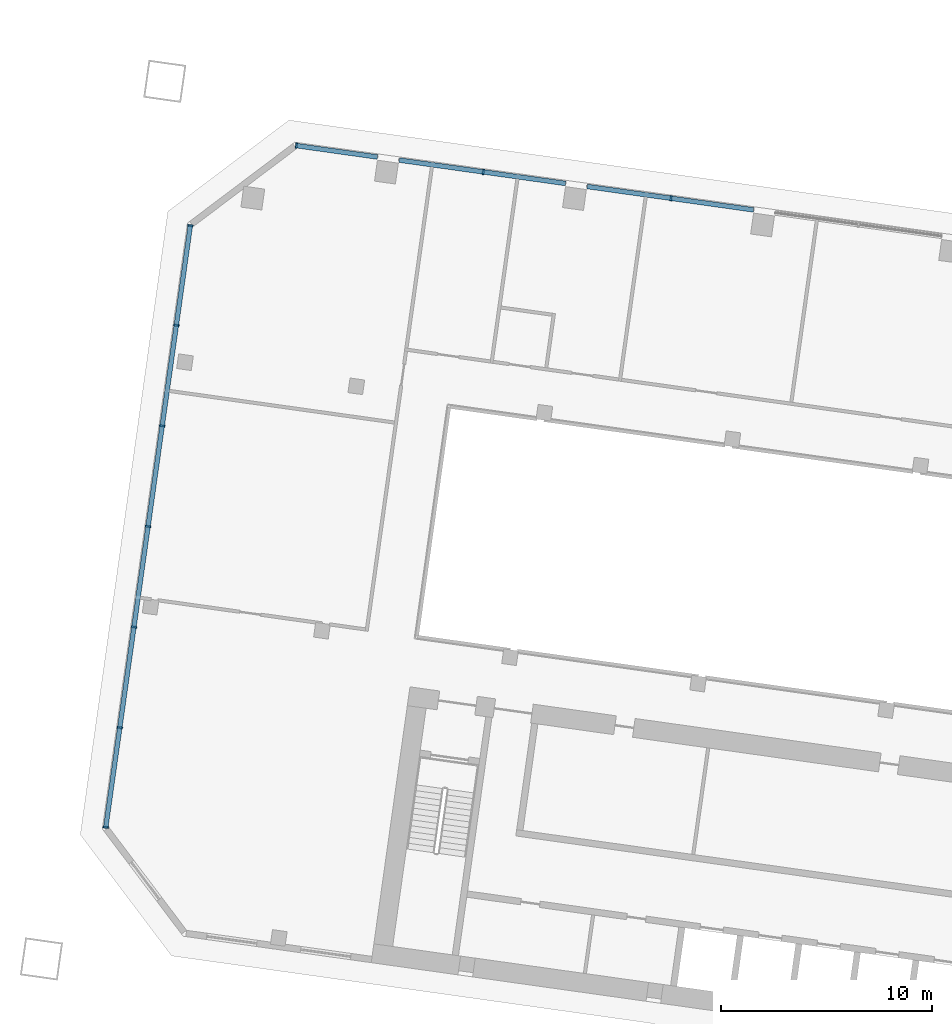
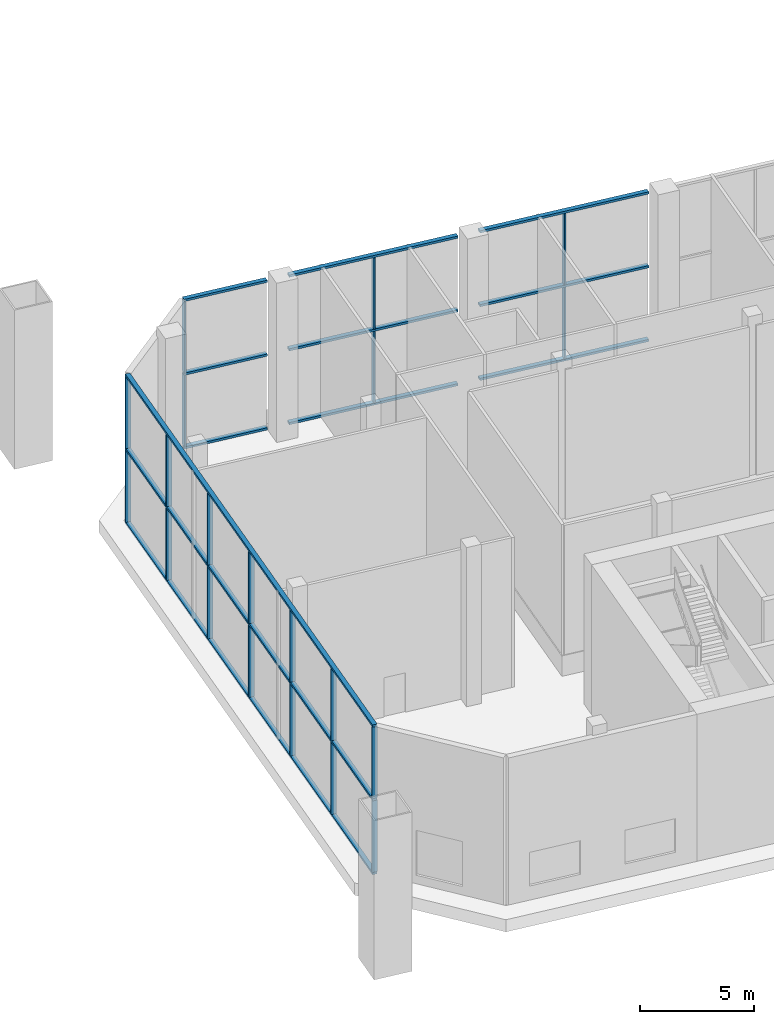
# One storey, part 2 of 31: 32 members, 2 elements without a shape of their own.
"""IFC4 building model written with IfcOpenShell, lengths in metres."""

import ifcopenshell
import ifcopenshell.guid

model = None  # the IFC model being written
_history = None  # IfcOwnerHistory: only IFC2X3 demands one
_inside = {}  # id of a spatial element -> (the spatial element, [elements in it])
_under = {}  # id of a project, library or spatial element -> (it, [spatial elements below it])
_declared = {}  # id of a project -> (the project, [libraries it declares])
_typed = {}  # id of a type object -> (the type object, [elements of that type])
_made_of = {}  # id of a material, layer set ... -> (it, [elements and type objects made of it])


def new_model(schema):
    """Start an empty IFC model of exactly this schema.

    Asked for "IFC4X3", IfcOpenShell would pick the latest addendum, in which some entities
    have other attributes; the version numbers below select the first issue.
    IFC2X3 requires an IfcOwnerHistory on every rooted entity: one is made here for all.
    """
    global model, _history
    if schema == "IFC4X3":
        model = ifcopenshell.file(schema_version=(4, 3, 0, 0))
    else:
        model = ifcopenshell.file(schema=schema)
    _inside.clear()
    _under.clear()
    _declared.clear()
    _typed.clear()
    _made_of.clear()
    _history = None
    if model.schema == "IFC2X3":
        org = make("IfcOrganization", Name="unknown")
        user = make(
            "IfcPersonAndOrganization",
            ThePerson=make("IfcPerson", FamilyName="unknown"),
            TheOrganization=org,
        )
        app = make(
            "IfcApplication",
            ApplicationDeveloper=org,
            Version="unknown",
            ApplicationFullName="unknown",
            ApplicationIdentifier="unknown",
        )
        _history = make(
            "IfcOwnerHistory",
            OwningUser=user,
            OwningApplication=app,
            ChangeAction="ADDED",
            CreationDate=0,
        )
    return model


def make(cls, **values):
    """One entity of the class cls with the attributes given. An attribute that is None is left unset."""
    return model.create_entity(
        cls, **{name: value for name, value in values.items() if value is not None}
    )


def rooted(cls, **values):
    """An entity with a GlobalId (a new one), such as an element, a storey or a relation."""
    return make(cls, GlobalId=ifcopenshell.guid.new(), OwnerHistory=_history, **values)


def si_unit(unit_type, name, prefix=None):
    """IfcSIUnit, for example si_unit("LENGTHUNIT", "METRE", prefix="MILLI")."""
    return make("IfcSIUnit", UnitType=unit_type, Prefix=prefix, Name=name)


def assignment(units):
    """IfcUnitAssignment: the units of a project."""
    return None if units is None else make("IfcUnitAssignment", Units=units)


def point(xyz):
    """IfcCartesianPoint."""
    return None if xyz is None else make("IfcCartesianPoint", Coordinates=xyz)


def direction(xyz):
    """IfcDirection."""
    return None if xyz is None else make("IfcDirection", DirectionRatios=xyz)


def frame(location, z_axis=None, x_axis=None):
    """IfcAxis2Placement3D, a coordinate frame: its origin and axes. An axis left out is left unset."""
    return make(
        "IfcAxis2Placement3D",
        Location=point(location),
        Axis=direction(z_axis),
        RefDirection=direction(x_axis),
    )


def frame_2d(location, x_axis=None):
    """IfcAxis2Placement2D, a coordinate frame in the plane: its origin and x axis."""
    return make(
        "IfcAxis2Placement2D", Location=point(location), RefDirection=direction(x_axis)
    )


def origin():
    """The frame at (0, 0, 0) with its axes left unset."""
    return frame((0.0, 0.0, 0.0))


def origin_2d():
    """The frame at (0, 0) in the plane with its x axis left unset."""
    return frame_2d((0.0, 0.0))


def place(relative_to, where):
    """IfcLocalPlacement: puts the frame where relative to a parent placement (None: the world)."""
    return make(
        "IfcLocalPlacement", PlacementRelTo=relative_to, RelativePlacement=where
    )


def context(
    kind, dimensions, precision=None, world=None, true_north=None, identifier=None
):
    """IfcGeometricRepresentationContext, for example the 3D "Model" context."""
    return make(
        "IfcGeometricRepresentationContext",
        ContextIdentifier=identifier,
        ContextType=kind,
        CoordinateSpaceDimension=dimensions,
        Precision=precision,
        WorldCoordinateSystem=world,
        TrueNorth=true_north,
    )


def subcontext(parent, identifier, kind, view, scale=None):
    """IfcGeometricRepresentationSubContext, for example "Body" below "Model"."""
    return make(
        "IfcGeometricRepresentationSubContext",
        ContextIdentifier=identifier,
        ContextType=kind,
        ParentContext=parent,
        TargetScale=scale,
        TargetView=view,
    )


def project(units=None, contexts=None):
    """IfcProject with its units and contexts."""
    return rooted(
        "IfcProject",
        Name="project",
        RepresentationContexts=contexts,
        UnitsInContext=assignment(units),
    )


def spatial(cls, under=None, at=None, **own):
    """A site, building, storey or space (cls), placed at a placement, below another one or the project."""
    s = rooted(cls, ObjectPlacement=at, **own)
    if under is not None:
        _under.setdefault(under.id(), (under, []))[1].append(s)
    return s


def profile(cls, at=None, kind="AREA", **sizes):
    """A parametric profile (cls). Its sizes go by their IFC names, for example OverallWidth=200.0."""
    return make(cls, ProfileType=kind, Position=at, **sizes)


def rectangle(**sizes):
    """IfcRectangleProfileDef."""
    return profile("IfcRectangleProfileDef", **sizes)


def extrude(swept, where, along, depth):
    """IfcExtrudedAreaSolid: the profile swept, set in the frame where, extruded along a direction by depth."""
    return make(
        "IfcExtrudedAreaSolid",
        SweptArea=swept,
        Position=where,
        ExtrudedDirection=direction(along),
        Depth=depth,
    )


def shape(context_of_items, identifier, shape_type, items):
    """IfcShapeRepresentation: the items that make up one representation, for example the "Body"."""
    return make(
        "IfcShapeRepresentation",
        ContextOfItems=context_of_items,
        RepresentationIdentifier=identifier,
        RepresentationType=shape_type,
        Items=items,
    )


def material(Name=None, Category=None):
    """IfcMaterial."""
    return make("IfcMaterial", Name=Name, Category=Category)


def material_profile(
    of_material, cross_section, Name=None, Category=None, Priority=None
):
    """IfcMaterialProfile: a cross section and its material."""
    return make(
        "IfcMaterialProfile",
        Name=Name,
        Material=of_material,
        Profile=cross_section,
        Priority=Priority,
        Category=Category,
    )


def profile_set(profiles, Name=None, composite=None):
    """IfcMaterialProfileSet."""
    return make(
        "IfcMaterialProfileSet",
        Name=Name,
        MaterialProfiles=profiles,
        CompositeProfile=composite,
    )


def made_of(thing, what):
    """Note that an element or type object is made of a material, layer set ...; save() writes the relation."""
    if what is not None:
        _made_of.setdefault(what.id(), (what, []))[1].append(thing)
    return thing


def type_object(cls, material=None, **own):
    """A type object (cls), such as IfcWallType, which elements share."""
    return made_of(rooted(cls, **own), material)


def element(
    cls,
    number,
    at=None,
    inside=None,
    cuts=None,
    type_object=None,
    material=None,
    context=None,
    identifier="Body",
    shape_type=None,
    held_by="IfcProductDefinitionShape",
    body=None,
    shapes=None,
    **own,
):
    """One element of the class cls, such as IfcWall. Its Tag is "e" and its number.

    at: its placement. inside: the storey or other place that contains it. cuts: it is an
    opening in that element (IfcRelVoidsElement). A single representation is given by context,
    identifier, shape_type and body (its items); several are given by shapes. held_by: the class
    of the entity that holds the representations. save() writes the other relations.
    """
    e = rooted(cls, Tag="e%d" % number, ObjectPlacement=at, **own)
    if body is not None:
        shapes = [shape(context, identifier, shape_type, body)]
    if shapes is not None:
        e.Representation = make(held_by, Representations=shapes)
    if inside is not None:
        _inside.setdefault(inside.id(), (inside, []))[1].append(e)
    if cuts is not None:
        rooted(
            "IfcRelVoidsElement", RelatingBuildingElement=cuts, RelatedOpeningElement=e
        )
    if type_object is not None:
        _typed.setdefault(type_object.id(), (type_object, []))[1].append(e)
    return made_of(e, material)


def aggregate(whole, parts):
    """IfcRelAggregates: a whole, such as a stair, and the parts it consists of."""
    return rooted("IfcRelAggregates", RelatingObject=whole, RelatedObjects=parts)


def save(model, path):
    """Write the relations noted so far, then the file.

    IfcRelAggregates (storeys below a building ...), IfcRelContainedInSpatialStructure (elements
    in a storey), IfcRelDefinesByType, IfcRelAssociatesMaterial and IfcRelDeclares: one each for
    every whole, place, type object, material and project.
    """
    for whole, parts in _under.values():
        aggregate(whole, parts)
    for where, things in _inside.values():
        rooted(
            "IfcRelContainedInSpatialStructure",
            RelatedElements=things,
            RelatingStructure=where,
        )
    for kind, things in _typed.values():
        rooted("IfcRelDefinesByType", RelatedObjects=things, RelatingType=kind)
    for what, things in _made_of.values():
        rooted("IfcRelAssociatesMaterial", RelatedObjects=things, RelatingMaterial=what)
    for by, libraries in _declared.values():
        rooted("IfcRelDeclares", RelatingContext=by, RelatedDefinitions=libraries)
    model.write(path)


model = new_model("IFC4")

# Units and contexts
model_context = context("Model", 3, precision=1e-05, world=origin(), true_north=direction((0.0, 1.0)))
body_context = subcontext(model_context, "Body", "Model", "MODEL_VIEW")
ifc_project = project(units=[si_unit("LENGTHUNIT", "METRE"), si_unit("AREAUNIT", "SQUARE_METRE"), si_unit("VOLUMEUNIT", "CUBIC_METRE"), si_unit("PLANEANGLEUNIT", "RADIAN"), si_unit("MASSUNIT", "GRAM", prefix="KILO")], contexts=[model_context])

# Site, building, storey
site_placement = place(None, origin())
site = spatial("IfcSite", under=ifc_project, at=site_placement, CompositionType="ELEMENT")
building_placement = place(site_placement, origin())
building = spatial("IfcBuilding", under=site, at=building_placement, Name="Mirante Cascada Hotel Towers", CompositionType="ELEMENT")
storey_placement = place(building_placement, frame((0.0, 0.0, 9.0)))
storey = spatial("IfcBuildingStorey", under=building, at=storey_placement, Name="L01", CompositionType="ELEMENT", Elevation=9.0)

# Curtain wall, members
ifc_material_1 = material(Name="Aluminium mullion and transom frame with clear laminated glass", Category="aluminium")
curtain_wall_type = type_object("IfcCurtainWallType", Name="Podium curtain wall ECW3", PredefinedType="NOTDEFINED", material=ifc_material_1)
curtain_wall_1_placement = place(storey_placement, origin())
curtain_wall_1 = element("IfcCurtainWall", 1, at=curtain_wall_1_placement, inside=storey, type_object=curtain_wall_type, Name="Front podium glazing T1 L01", PredefinedType="NOTDEFINED")
ifc_material_2 = material(Name="Anodised aluminium extrusion", Category="aluminium")
ifc_material_profile_1 = material_profile(ifc_material_2, rectangle(XDim=0.26, YDim=0.08, at=origin_2d()), Name="ECW3 MULLION 80x260")
ifc_profile_set_1 = profile_set([ifc_material_profile_1], Name="Anodised aluminium extrusion")
member_type_1 = type_object("IfcMemberType", Name="ECW3 mullion 80x260", PredefinedType="MULLION", material=ifc_profile_set_1)
member_1_placement = place(storey_placement, frame((-94.1185, 26.0465, 0.12), z_axis=(0.0, 0.0, 1.0), x_axis=(0.1391731, 0.9902681, 0.0)))
member_1 = element("IfcMember", 2, at=member_1_placement, type_object=member_type_1, Name="ECW3 mullion 1", PredefinedType="MULLION", context=body_context, shape_type="SweptSolid", body=[
    extrude(rectangle(XDim=0.26, YDim=0.08, at=origin_2d()), origin(), (0.0, 0.0, 1.0), 3.82),
])
member_2_placement = place(storey_placement, frame((-94.1185, 26.0465, 4.06), z_axis=(0.0, 0.0, 1.0), x_axis=(0.1391731, 0.9902681, 0.0)))
member_2 = element("IfcMember", 3, at=member_2_placement, type_object=member_type_1, Name="ECW3 mullion 1", PredefinedType="MULLION", context=body_context, shape_type="SweptSolid", body=[
    extrude(rectangle(XDim=0.26, YDim=0.08, at=origin_2d()), origin(), (0.0, 0.0, 1.0), 3.82),
])
member_3_placement = place(storey_placement, frame((-85.2633, 24.802, 0.12), z_axis=(0.0, 0.0, 1.0), x_axis=(0.1391731, 0.9902681, 0.0)))
member_3 = element("IfcMember", 4, at=member_3_placement, type_object=member_type_1, Name="ECW3 mullion 3", PredefinedType="MULLION", context=body_context, shape_type="SweptSolid", body=[
    extrude(rectangle(XDim=0.26, YDim=0.08, at=origin_2d()), origin(), (0.0, 0.0, 1.0), 3.82),
])
member_4_placement = place(storey_placement, frame((-85.2633, 24.802, 4.06), z_axis=(0.0, 0.0, 1.0), x_axis=(0.1391731, 0.9902681, 0.0)))
member_4 = element("IfcMember", 5, at=member_4_placement, type_object=member_type_1, Name="ECW3 mullion 3", PredefinedType="MULLION", context=body_context, shape_type="SweptSolid", body=[
    extrude(rectangle(XDim=0.26, YDim=0.08, at=origin_2d()), origin(), (0.0, 0.0, 1.0), 3.82),
])
member_5_placement = place(storey_placement, frame((-76.3685, 23.5519, 0.12), z_axis=(0.0, 0.0, 1.0), x_axis=(0.1391731, 0.9902681, 0.0)))
member_5 = element("IfcMember", 6, at=member_5_placement, type_object=member_type_1, Name="ECW3 mullion 5", PredefinedType="MULLION", context=body_context, shape_type="SweptSolid", body=[
    extrude(rectangle(XDim=0.26, YDim=0.08, at=origin_2d()), origin(), (0.0, 0.0, 1.0), 3.82),
])
member_6_placement = place(storey_placement, frame((-76.3685, 23.5519, 4.06), z_axis=(0.0, 0.0, 1.0), x_axis=(0.1391731, 0.9902681, 0.0)))
member_6 = element("IfcMember", 7, at=member_6_placement, type_object=member_type_1, Name="ECW3 mullion 5", PredefinedType="MULLION", context=body_context, shape_type="SweptSolid", body=[
    extrude(rectangle(XDim=0.26, YDim=0.08, at=origin_2d()), origin(), (0.0, 0.0, 1.0), 3.82),
])

curtain_wall_2_placement = place(storey_placement, origin())
curtain_wall_2 = element("IfcCurtainWall", 8, at=curtain_wall_2_placement, inside=storey, type_object=curtain_wall_type, Name="Outer end podium glazing T1 L01", PredefinedType="NOTDEFINED")
member_7_placement = place(storey_placement, frame((-103.1546, -6.2582, 0.12), z_axis=(0.0, 0.0, 1.0), x_axis=(-0.9902681, 0.1391731, 0.0)))
member_7 = element("IfcMember", 9, at=member_7_placement, type_object=member_type_1, Name="ECW3 mullion 1", PredefinedType="MULLION", context=body_context, shape_type="SweptSolid", body=[
    extrude(rectangle(XDim=0.26, YDim=0.08, at=origin_2d()), origin(), (0.0, 0.0, 1.0), 3.82),
])
member_8_placement = place(storey_placement, frame((-103.1546, -6.2582, 4.06), z_axis=(0.0, 0.0, 1.0), x_axis=(-0.9902681, 0.1391731, 0.0)))
member_8 = element("IfcMember", 10, at=member_8_placement, type_object=member_type_1, Name="ECW3 mullion 1", PredefinedType="MULLION", context=body_context, shape_type="SweptSolid", body=[
    extrude(rectangle(XDim=0.26, YDim=0.08, at=origin_2d()), origin(), (0.0, 0.0, 1.0), 3.82),
])
member_9_placement = place(storey_placement, frame((-102.4903, -1.532, 0.12), z_axis=(0.0, 0.0, 1.0), x_axis=(-0.9902681, 0.1391731, 0.0)))
member_9 = element("IfcMember", 11, at=member_9_placement, type_object=member_type_1, Name="ECW3 mullion 2", PredefinedType="MULLION", context=body_context, shape_type="SweptSolid", body=[
    extrude(rectangle(XDim=0.26, YDim=0.08, at=origin_2d()), origin(), (0.0, 0.0, 1.0), 3.82),
])
member_10_placement = place(storey_placement, frame((-102.4903, -1.532, 4.06), z_axis=(0.0, 0.0, 1.0), x_axis=(-0.9902681, 0.1391731, 0.0)))
member_10 = element("IfcMember", 12, at=member_10_placement, type_object=member_type_1, Name="ECW3 mullion 2", PredefinedType="MULLION", context=body_context, shape_type="SweptSolid", body=[
    extrude(rectangle(XDim=0.26, YDim=0.08, at=origin_2d()), origin(), (0.0, 0.0, 1.0), 3.82),
])
member_11_placement = place(storey_placement, frame((-101.8205, 3.2338, 0.12), z_axis=(0.0, 0.0, 1.0), x_axis=(-0.9902681, 0.1391731, 0.0)))
member_11 = element("IfcMember", 13, at=member_11_placement, type_object=member_type_1, Name="ECW3 mullion 3", PredefinedType="MULLION", context=body_context, shape_type="SweptSolid", body=[
    extrude(rectangle(XDim=0.26, YDim=0.08, at=origin_2d()), origin(), (0.0, 0.0, 1.0), 3.82),
])
member_12_placement = place(storey_placement, frame((-101.8205, 3.2338, 4.06), z_axis=(0.0, 0.0, 1.0), x_axis=(-0.9902681, 0.1391731, 0.0)))
member_12 = element("IfcMember", 14, at=member_12_placement, type_object=member_type_1, Name="ECW3 mullion 3", PredefinedType="MULLION", context=body_context, shape_type="SweptSolid", body=[
    extrude(rectangle(XDim=0.26, YDim=0.08, at=origin_2d()), origin(), (0.0, 0.0, 1.0), 3.82),
])
member_13_placement = place(storey_placement, frame((-101.1508, 7.9996, 0.12), z_axis=(0.0, 0.0, 1.0), x_axis=(-0.9902681, 0.1391731, 0.0)))
member_13 = element("IfcMember", 15, at=member_13_placement, type_object=member_type_1, Name="ECW3 mullion 4", PredefinedType="MULLION", context=body_context, shape_type="SweptSolid", body=[
    extrude(rectangle(XDim=0.26, YDim=0.08, at=origin_2d()), origin(), (0.0, 0.0, 1.0), 3.82),
])
member_14_placement = place(storey_placement, frame((-101.1508, 7.9996, 4.06), z_axis=(0.0, 0.0, 1.0), x_axis=(-0.9902681, 0.1391731, 0.0)))
member_14 = element("IfcMember", 16, at=member_14_placement, type_object=member_type_1, Name="ECW3 mullion 4", PredefinedType="MULLION", context=body_context, shape_type="SweptSolid", body=[
    extrude(rectangle(XDim=0.26, YDim=0.08, at=origin_2d()), origin(), (0.0, 0.0, 1.0), 3.82),
])
member_15_placement = place(storey_placement, frame((-100.481, 12.7654, 0.12), z_axis=(0.0, 0.0, 1.0), x_axis=(-0.9902681, 0.1391731, 0.0)))
member_15 = element("IfcMember", 17, at=member_15_placement, type_object=member_type_1, Name="ECW3 mullion 5", PredefinedType="MULLION", context=body_context, shape_type="SweptSolid", body=[
    extrude(rectangle(XDim=0.26, YDim=0.08, at=origin_2d()), origin(), (0.0, 0.0, 1.0), 3.82),
])
member_16_placement = place(storey_placement, frame((-100.481, 12.7654, 4.06), z_axis=(0.0, 0.0, 1.0), x_axis=(-0.9902681, 0.1391731, 0.0)))
member_16 = element("IfcMember", 18, at=member_16_placement, type_object=member_type_1, Name="ECW3 mullion 5", PredefinedType="MULLION", context=body_context, shape_type="SweptSolid", body=[
    extrude(rectangle(XDim=0.26, YDim=0.08, at=origin_2d()), origin(), (0.0, 0.0, 1.0), 3.82),
])
member_17_placement = place(storey_placement, frame((-99.8112, 17.5312, 0.12), z_axis=(0.0, 0.0, 1.0), x_axis=(-0.9902681, 0.1391731, 0.0)))
member_17 = element("IfcMember", 19, at=member_17_placement, type_object=member_type_1, Name="ECW3 mullion 6", PredefinedType="MULLION", context=body_context, shape_type="SweptSolid", body=[
    extrude(rectangle(XDim=0.26, YDim=0.08, at=origin_2d()), origin(), (0.0, 0.0, 1.0), 3.82),
])
member_18_placement = place(storey_placement, frame((-99.8112, 17.5312, 4.06), z_axis=(0.0, 0.0, 1.0), x_axis=(-0.9902681, 0.1391731, 0.0)))
member_18 = element("IfcMember", 20, at=member_18_placement, type_object=member_type_1, Name="ECW3 mullion 6", PredefinedType="MULLION", context=body_context, shape_type="SweptSolid", body=[
    extrude(rectangle(XDim=0.26, YDim=0.08, at=origin_2d()), origin(), (0.0, 0.0, 1.0), 3.82),
])
member_19_placement = place(storey_placement, frame((-99.147, 22.2573, 0.12), z_axis=(0.0, 0.0, 1.0), x_axis=(-0.9902681, 0.1391731, 0.0)))
member_19 = element("IfcMember", 21, at=member_19_placement, type_object=member_type_1, Name="ECW3 mullion 7", PredefinedType="MULLION", context=body_context, shape_type="SweptSolid", body=[
    extrude(rectangle(XDim=0.26, YDim=0.08, at=origin_2d()), origin(), (0.0, 0.0, 1.0), 3.82),
])
member_20_placement = place(storey_placement, frame((-99.147, 22.2573, 4.06), z_axis=(0.0, 0.0, 1.0), x_axis=(-0.9902681, 0.1391731, 0.0)))
member_20 = element("IfcMember", 22, at=member_20_placement, type_object=member_type_1, Name="ECW3 mullion 7", PredefinedType="MULLION", context=body_context, shape_type="SweptSolid", body=[
    extrude(rectangle(XDim=0.26, YDim=0.08, at=origin_2d()), origin(), (0.0, 0.0, 1.0), 3.82),
])

# Member
ifc_material_3 = material(Name="Anodised aluminium extrusion", Category="aluminium")
ifc_material_profile_2 = material_profile(ifc_material_3, rectangle(XDim=0.22, YDim=0.12, at=origin_2d()), Name="ECW3 TRANSOM 120x220")
ifc_profile_set_2 = profile_set([ifc_material_profile_2], Name="Anodised aluminium extrusion")
member_type_2 = type_object("IfcMemberType", Name="ECW3 transom 120x220", PredefinedType="USERDEFINED", material=ifc_profile_set_2)
member_21_placement = place(storey_placement, frame((-94.1582, 26.0521, 0.06), z_axis=(0.990267, -0.1391805, 0.0), x_axis=(0.1391805, 0.990267, 0.0)))
member_21 = element("IfcMember", 23, at=member_21_placement, type_object=member_type_2, Name="ECW3 sill transom", ObjectType="TRANSOM", PredefinedType="USERDEFINED", context=body_context, shape_type="SweptSolid", body=[
    extrude(rectangle(XDim=0.22, YDim=0.12, at=origin_2d()), origin(), (0.0, 0.0, 1.0), 3.9179),
])

member_22_placement = place(storey_placement, frame((-89.2485, 25.3621, 0.06), z_axis=(0.9902683, -0.1391715, 0.0), x_axis=(0.1391715, 0.9902683, 0.0)))
member_22 = element("IfcMember", 24, at=member_22_placement, type_object=member_type_2, Name="ECW3 sill transom", ObjectType="TRANSOM", PredefinedType="USERDEFINED", context=body_context, shape_type="SweptSolid", body=[
    extrude(rectangle(XDim=0.22, YDim=0.12, at=origin_2d()), origin(), (0.0, 0.0, 1.0), 7.96),
])

member_23_placement = place(storey_placement, frame((-80.3361, 24.1095, 0.06), z_axis=(0.9902683, -0.1391715, 0.0), x_axis=(0.1391715, 0.9902683, 0.0)))
member_23 = element("IfcMember", 25, at=member_23_placement, type_object=member_type_2, Name="ECW3 sill transom", ObjectType="TRANSOM", PredefinedType="USERDEFINED", context=body_context, shape_type="SweptSolid", body=[
    extrude(rectangle(XDim=0.22, YDim=0.12, at=origin_2d()), origin(), (0.0, 0.0, 1.0), 7.96),
])

member_24_placement = place(storey_placement, frame((-94.1582, 26.0521, 4.0), z_axis=(0.990267, -0.1391805, 0.0), x_axis=(0.1391805, 0.990267, 0.0)))
member_24 = element("IfcMember", 26, at=member_24_placement, type_object=member_type_2, Name="ECW3 intermediate transom", ObjectType="TRANSOM", PredefinedType="USERDEFINED", context=body_context, shape_type="SweptSolid", body=[
    extrude(rectangle(XDim=0.22, YDim=0.12, at=origin_2d()), origin(), (0.0, 0.0, 1.0), 3.9179),
])

member_25_placement = place(storey_placement, frame((-89.2485, 25.3621, 4.0), z_axis=(0.9902683, -0.1391715, 0.0), x_axis=(0.1391715, 0.9902683, 0.0)))
member_25 = element("IfcMember", 27, at=member_25_placement, type_object=member_type_2, Name="ECW3 intermediate transom", ObjectType="TRANSOM", PredefinedType="USERDEFINED", context=body_context, shape_type="SweptSolid", body=[
    extrude(rectangle(XDim=0.22, YDim=0.12, at=origin_2d()), origin(), (0.0, 0.0, 1.0), 7.96),
])

member_26_placement = place(storey_placement, frame((-80.3361, 24.1095, 4.0), z_axis=(0.9902683, -0.1391715, 0.0), x_axis=(0.1391715, 0.9902683, 0.0)))
member_26 = element("IfcMember", 28, at=member_26_placement, type_object=member_type_2, Name="ECW3 intermediate transom", ObjectType="TRANSOM", PredefinedType="USERDEFINED", context=body_context, shape_type="SweptSolid", body=[
    extrude(rectangle(XDim=0.22, YDim=0.12, at=origin_2d()), origin(), (0.0, 0.0, 1.0), 7.96),
])

member_27_placement = place(storey_placement, frame((-94.1582, 26.0521, 7.94), z_axis=(0.990267, -0.1391805, 0.0), x_axis=(0.1391805, 0.990267, 0.0)))
member_27 = element("IfcMember", 29, at=member_27_placement, type_object=member_type_2, Name="ECW3 head transom", ObjectType="TRANSOM", PredefinedType="USERDEFINED", context=body_context, shape_type="SweptSolid", body=[
    extrude(rectangle(XDim=0.22, YDim=0.12, at=origin_2d()), origin(), (0.0, 0.0, 1.0), 3.9179),
])

member_28_placement = place(storey_placement, frame((-89.2485, 25.3621, 7.94), z_axis=(0.9902683, -0.1391715, 0.0), x_axis=(0.1391715, 0.9902683, 0.0)))
member_28 = element("IfcMember", 30, at=member_28_placement, type_object=member_type_2, Name="ECW3 head transom", ObjectType="TRANSOM", PredefinedType="USERDEFINED", context=body_context, shape_type="SweptSolid", body=[
    extrude(rectangle(XDim=0.22, YDim=0.12, at=origin_2d()), origin(), (0.0, 0.0, 1.0), 7.96),
])

member_29_placement = place(storey_placement, frame((-80.3361, 24.1095, 7.94), z_axis=(0.9902683, -0.1391715, 0.0), x_axis=(0.1391715, 0.9902683, 0.0)))
member_29 = element("IfcMember", 31, at=member_29_placement, type_object=member_type_2, Name="ECW3 head transom", ObjectType="TRANSOM", PredefinedType="USERDEFINED", context=body_context, shape_type="SweptSolid", body=[
    extrude(rectangle(XDim=0.22, YDim=0.12, at=origin_2d()), origin(), (0.0, 0.0, 1.0), 7.96),
])

aggregate(curtain_wall_1, [member_21, member_22, member_23, member_24, member_25, member_26, member_27, member_28, member_29, member_1, member_2, member_3, member_4, member_5, member_6])

member_30_placement = place(storey_placement, frame((-103.1601, -6.2978, 0.06), z_axis=(0.1391723, 0.9902682, 0.0), x_axis=(-0.9902682, 0.1391723, 0.0)))
member_30 = element("IfcMember", 32, at=member_30_placement, type_object=member_type_2, Name="ECW3 sill transom", ObjectType="TRANSOM", PredefinedType="USERDEFINED", context=body_context, shape_type="SweptSolid", body=[
    extrude(rectangle(XDim=0.22, YDim=0.12, at=origin_2d()), origin(), (0.0, 0.0, 1.0), 28.8757),
])

member_31_placement = place(storey_placement, frame((-103.1601, -6.2978, 4.0), z_axis=(0.1391723, 0.9902682, 0.0), x_axis=(-0.9902682, 0.1391723, 0.0)))
member_31 = element("IfcMember", 33, at=member_31_placement, type_object=member_type_2, Name="ECW3 intermediate transom", ObjectType="TRANSOM", PredefinedType="USERDEFINED", context=body_context, shape_type="SweptSolid", body=[
    extrude(rectangle(XDim=0.22, YDim=0.12, at=origin_2d()), origin(), (0.0, 0.0, 1.0), 28.8757),
])

member_32_placement = place(storey_placement, frame((-103.1601, -6.2978, 7.94), z_axis=(0.1391723, 0.9902682, 0.0), x_axis=(-0.9902682, 0.1391723, 0.0)))
member_32 = element("IfcMember", 34, at=member_32_placement, type_object=member_type_2, Name="ECW3 head transom", ObjectType="TRANSOM", PredefinedType="USERDEFINED", context=body_context, shape_type="SweptSolid", body=[
    extrude(rectangle(XDim=0.22, YDim=0.12, at=origin_2d()), origin(), (0.0, 0.0, 1.0), 28.8757),
])

aggregate(curtain_wall_2, [member_30, member_31, member_32, member_7, member_8, member_9, member_10, member_11, member_12, member_13, member_14, member_15, member_16, member_17, member_18, member_19, member_20])

save(model, "model.ifc")
